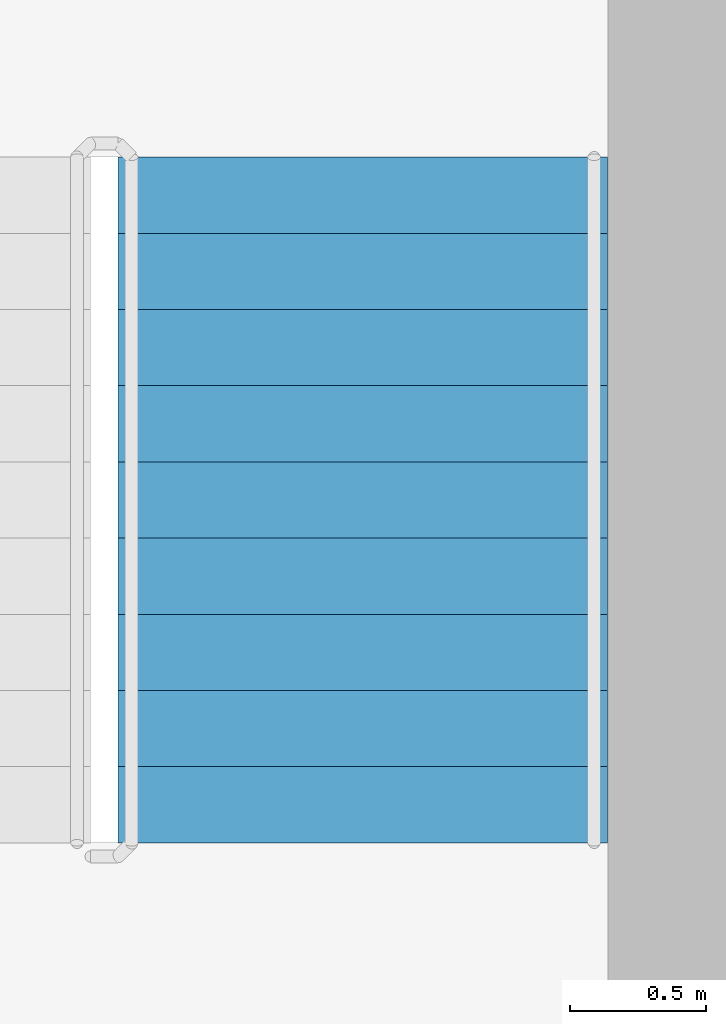
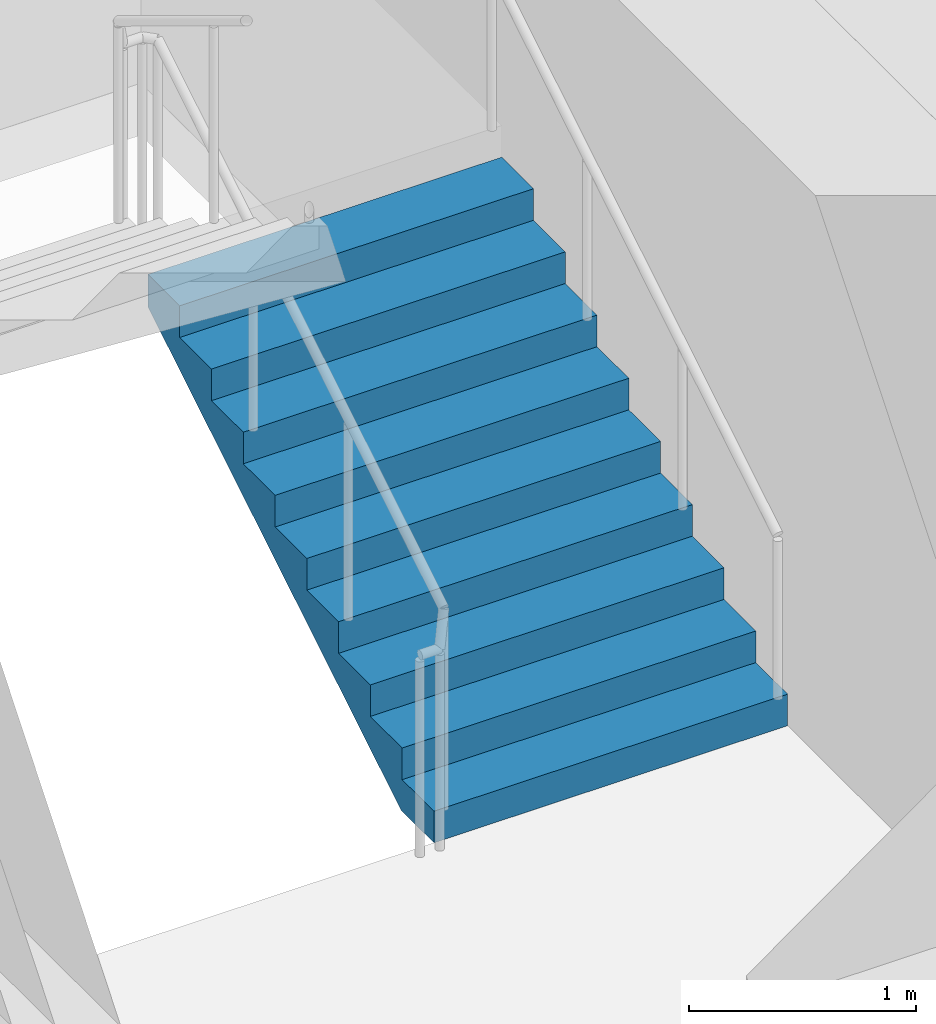
# One storey, part 20 of 24: 1 stair flight, 1 element without a shape of its own.
"""IFC4 building model written with IfcOpenShell, lengths in metres."""

from ifc_helpers import new_model, si_unit, direction, frame, origin, place, context, subcontext, project, spatial, triangles, source, transform, mapped, material, type_object, element, aggregate, save


model = new_model("IFC4")

# Units and contexts
model_context = context("Model", 3, precision=1e-05, world=origin(), true_north=direction((0.0, 1.0)))
body_context = subcontext(model_context, "Body", "Model", "MODEL_VIEW")
ifc_project = project(units=[si_unit("LENGTHUNIT", "METRE"), si_unit("AREAUNIT", "SQUARE_METRE"), si_unit("VOLUMEUNIT", "CUBIC_METRE"), si_unit("PLANEANGLEUNIT", "RADIAN"), si_unit("MASSUNIT", "GRAM", prefix="KILO")], contexts=[model_context])

# Site, building, storey
site_placement = place(None, origin())
site = spatial("IfcSite", under=ifc_project, at=site_placement, CompositionType="ELEMENT")
building_placement = place(site_placement, origin())
building = spatial("IfcBuilding", under=site, at=building_placement, Name="Kilnfold Tower and Market Hall", CompositionType="ELEMENT")
storey_placement = place(building_placement, frame((0.0, 0.0, 192.300048828125)))
storey = spatial("IfcBuildingStorey", under=building, at=storey_placement, Name="L46", CompositionType="ELEMENT", Elevation=192.300048828125)

# Stair, stair flight
ifc_material_1 = material(Name="Concrete C40/50", Category="concrete")
stair_type = type_object("IfcStairType", Name="CORE STAIR 1800", PredefinedType="HALF_TURN_STAIR", material=ifc_material_1)
stair_placement = place(storey_placement, origin())
stair = element("IfcStair", 1, at=stair_placement, inside=storey, type_object=stair_type, Name="L46 ST2", PredefinedType="HALF_TURN_STAIR")
ifc_material_2 = material(Name="Concrete C40/50", Category="concrete")
stair_flight_type = type_object("IfcStairFlightType", Name="CORE STAIR FLIGHT 1800", PredefinedType="STRAIGHT", material=ifc_material_2)
shared_shape = source(origin(), body_context, "Body", "Tessellation", [
    triangles([(0.0, 0.89990234375, 0.0), (0.0, 0.78759765625, 0.0), (0.0, 0.675048828125, 0.0), (0.0, 0.5625, 0.0), (0.0, 0.449951171875, 0.0), (0.0, 0.33740234375, 0.0), (0.0, 0.22509765625, 0.0), (0.0, 0.112548828125, 0.0), (0.0, 0.0, 0.0), (0.0, -0.112548828125, 0.0), (0.0, -0.22509765625, 0.0), (0.0, -0.33740234375, 0.0), (0.0, -0.449951171875, 0.0), (0.0, -0.5625, 0.0), (0.0, -0.675048828125, 0.0), (0.0, -0.78759765625, 0.0), (0.0, -0.89990234375, 0.0), (0.0, 0.89990234375, 0.169921875), (0.0, 0.78759765625, 0.169921875), (0.0, 0.675048828125, 0.169921875), (0.0, 0.5625, 0.169921875), (0.0, 0.449951171875, 0.169921875), (0.0, 0.33740234375, 0.169921875), (0.0, 0.22509765625, 0.169921875), (0.0, 0.112548828125, 0.169921875), (0.0, 0.0, 0.169921875), (0.0, -0.112548828125, 0.169921875), (0.0, -0.22509765625, 0.169921875), (0.0, -0.33740234375, 0.169921875), (0.0, -0.449951171875, 0.169921875), (0.0, -0.5625, 0.169921875), (0.0, -0.675048828125, 0.169921875), (0.0, -0.78759765625, 0.169921875), (0.0, -0.89990234375, 0.169921875), (0.280029296875, 0.89990234375, 0.169921875), (0.280029296875, 0.78759765625, 0.169921875), (0.280029296875, 0.675048828125, 0.169921875), (0.280029296875, 0.5625, 0.169921875), (0.280029296875, 0.449951171875, 0.169921875), (0.280029296875, 0.33740234375, 0.169921875), (0.280029296875, 0.22509765625, 0.169921875), (0.280029296875, 0.112548828125, 0.169921875), (0.280029296875, 0.0, 0.169921875), (0.280029296875, -0.112548828125, 0.169921875), (0.280029296875, -0.22509765625, 0.169921875), (0.280029296875, -0.33740234375, 0.169921875), (0.280029296875, -0.449951171875, 0.169921875), (0.280029296875, -0.5625, 0.169921875), (0.280029296875, -0.675048828125, 0.169921875), (0.280029296875, -0.78759765625, 0.169921875), (0.280029296875, -0.89990234375, 0.169921875), (0.280029296875, 0.89990234375, 0.340087890625), (0.280029296875, 0.78759765625, 0.340087890625), (0.280029296875, 0.675048828125, 0.340087890625), (0.280029296875, 0.5625, 0.340087890625), (0.280029296875, 0.449951171875, 0.340087890625), (0.280029296875, 0.33740234375, 0.340087890625), (0.280029296875, 0.22509765625, 0.340087890625), (0.280029296875, 0.112548828125, 0.340087890625), (0.280029296875, 0.0, 0.340087890625), (0.280029296875, -0.112548828125, 0.340087890625), (0.280029296875, -0.22509765625, 0.340087890625), (0.280029296875, -0.33740234375, 0.340087890625), (0.280029296875, -0.449951171875, 0.340087890625), (0.280029296875, -0.5625, 0.340087890625), (0.280029296875, -0.675048828125, 0.340087890625), (0.280029296875, -0.78759765625, 0.340087890625), (0.280029296875, -0.89990234375, 0.340087890625), (0.56005859375, 0.89990234375, 0.340087890625), (0.56005859375, 0.78759765625, 0.340087890625), (0.56005859375, 0.675048828125, 0.340087890625), (0.56005859375, 0.5625, 0.340087890625), (0.56005859375, 0.449951171875, 0.340087890625), (0.56005859375, 0.33740234375, 0.340087890625), (0.56005859375, 0.22509765625, 0.340087890625), (0.56005859375, 0.112548828125, 0.340087890625), (0.56005859375, 0.0, 0.340087890625), (0.56005859375, -0.112548828125, 0.340087890625), (0.56005859375, -0.22509765625, 0.340087890625), (0.56005859375, -0.33740234375, 0.340087890625), (0.56005859375, -0.449951171875, 0.340087890625), (0.56005859375, -0.5625, 0.340087890625), (0.56005859375, -0.675048828125, 0.340087890625), (0.56005859375, -0.78759765625, 0.340087890625), (0.56005859375, -0.89990234375, 0.340087890625), (0.56005859375, 0.89990234375, 0.510009765625), (0.56005859375, 0.78759765625, 0.510009765625), (0.56005859375, 0.675048828125, 0.510009765625), (0.56005859375, 0.5625, 0.510009765625), (0.56005859375, 0.449951171875, 0.510009765625), (0.56005859375, 0.33740234375, 0.510009765625), (0.56005859375, 0.22509765625, 0.510009765625), (0.56005859375, 0.112548828125, 0.510009765625), (0.56005859375, 0.0, 0.510009765625), (0.56005859375, -0.112548828125, 0.510009765625), (0.56005859375, -0.22509765625, 0.510009765625), (0.56005859375, -0.33740234375, 0.510009765625), (0.56005859375, -0.449951171875, 0.510009765625), (0.56005859375, -0.5625, 0.510009765625), (0.56005859375, -0.675048828125, 0.510009765625), (0.56005859375, -0.78759765625, 0.510009765625), (0.56005859375, -0.89990234375, 0.510009765625), (0.840087890625, 0.89990234375, 0.510009765625), (0.840087890625, 0.78759765625, 0.510009765625), (0.840087890625, 0.675048828125, 0.510009765625), (0.840087890625, 0.5625, 0.510009765625), (0.840087890625, 0.449951171875, 0.510009765625), (0.840087890625, 0.33740234375, 0.510009765625), (0.840087890625, 0.22509765625, 0.510009765625), (0.840087890625, 0.112548828125, 0.510009765625), (0.840087890625, 0.0, 0.510009765625), (0.840087890625, -0.112548828125, 0.510009765625), (0.840087890625, -0.22509765625, 0.510009765625), (0.840087890625, -0.33740234375, 0.510009765625), (0.840087890625, -0.449951171875, 0.510009765625), (0.840087890625, -0.5625, 0.510009765625), (0.840087890625, -0.675048828125, 0.510009765625), (0.840087890625, -0.78759765625, 0.510009765625), (0.840087890625, -0.89990234375, 0.510009765625), (0.840087890625, 0.89990234375, 0.679931640625), (0.840087890625, 0.78759765625, 0.679931640625), (0.840087890625, 0.675048828125, 0.679931640625), (0.840087890625, 0.5625, 0.679931640625), (0.840087890625, 0.449951171875, 0.679931640625), (0.840087890625, 0.33740234375, 0.679931640625), (0.840087890625, 0.22509765625, 0.679931640625), (0.840087890625, 0.112548828125, 0.679931640625), (0.840087890625, 0.0, 0.679931640625), (0.840087890625, -0.112548828125, 0.679931640625), (0.840087890625, -0.22509765625, 0.679931640625), (0.840087890625, -0.33740234375, 0.679931640625), (0.840087890625, -0.449951171875, 0.679931640625), (0.840087890625, -0.5625, 0.679931640625), (0.840087890625, -0.675048828125, 0.679931640625), (0.840087890625, -0.78759765625, 0.679931640625), (0.840087890625, -0.89990234375, 0.679931640625), (1.1201171875, 0.89990234375, 0.679931640625), (1.1201171875, 0.78759765625, 0.679931640625), (1.1201171875, 0.675048828125, 0.679931640625), (1.1201171875, 0.5625, 0.679931640625), (1.1201171875, 0.449951171875, 0.679931640625), (1.1201171875, 0.33740234375, 0.679931640625), (1.1201171875, 0.22509765625, 0.679931640625), (1.1201171875, 0.112548828125, 0.679931640625), (1.1201171875, 0.0, 0.679931640625), (1.1201171875, -0.112548828125, 0.679931640625), (1.1201171875, -0.22509765625, 0.679931640625), (1.1201171875, -0.33740234375, 0.679931640625), (1.1201171875, -0.449951171875, 0.679931640625), (1.1201171875, -0.5625, 0.679931640625), (1.1201171875, -0.675048828125, 0.679931640625), (1.1201171875, -0.78759765625, 0.679931640625), (1.1201171875, -0.89990234375, 0.679931640625), (1.1201171875, 0.89990234375, 0.85009765625), (1.1201171875, 0.78759765625, 0.85009765625), (1.1201171875, 0.675048828125, 0.85009765625), (1.1201171875, 0.5625, 0.85009765625), (1.1201171875, 0.449951171875, 0.85009765625), (1.1201171875, 0.33740234375, 0.85009765625), (1.1201171875, 0.22509765625, 0.85009765625), (1.1201171875, 0.112548828125, 0.85009765625), (1.1201171875, 0.0, 0.85009765625), (1.1201171875, -0.112548828125, 0.85009765625), (1.1201171875, -0.22509765625, 0.85009765625), (1.1201171875, -0.33740234375, 0.85009765625), (1.1201171875, -0.449951171875, 0.85009765625), (1.1201171875, -0.5625, 0.85009765625), (1.1201171875, -0.675048828125, 0.85009765625), (1.1201171875, -0.78759765625, 0.85009765625), (1.1201171875, -0.89990234375, 0.85009765625), (1.39990234375, 0.89990234375, 0.85009765625), (1.39990234375, 0.78759765625, 0.85009765625), (1.39990234375, 0.675048828125, 0.85009765625), (1.39990234375, 0.5625, 0.85009765625), (1.39990234375, 0.449951171875, 0.85009765625), (1.39990234375, 0.33740234375, 0.85009765625), (1.39990234375, 0.22509765625, 0.85009765625), (1.39990234375, 0.112548828125, 0.85009765625), (1.39990234375, 0.0, 0.85009765625), (1.39990234375, -0.112548828125, 0.85009765625), (1.39990234375, -0.22509765625, 0.85009765625), (1.39990234375, -0.33740234375, 0.85009765625), (1.39990234375, -0.449951171875, 0.85009765625), (1.39990234375, -0.5625, 0.85009765625), (1.39990234375, -0.675048828125, 0.85009765625), (1.39990234375, -0.78759765625, 0.85009765625), (1.39990234375, -0.89990234375, 0.85009765625), (1.39990234375, 0.89990234375, 1.02001953125), (1.39990234375, 0.78759765625, 1.02001953125), (1.39990234375, 0.675048828125, 1.02001953125), (1.39990234375, 0.5625, 1.02001953125), (1.39990234375, 0.449951171875, 1.02001953125), (1.39990234375, 0.33740234375, 1.02001953125), (1.39990234375, 0.22509765625, 1.02001953125), (1.39990234375, 0.112548828125, 1.02001953125), (1.39990234375, 0.0, 1.02001953125), (1.39990234375, -0.112548828125, 1.02001953125), (1.39990234375, -0.22509765625, 1.02001953125), (1.39990234375, -0.33740234375, 1.02001953125), (1.39990234375, -0.449951171875, 1.02001953125), (1.39990234375, -0.5625, 1.02001953125), (1.39990234375, -0.675048828125, 1.02001953125), (1.39990234375, -0.78759765625, 1.02001953125), (1.39990234375, -0.89990234375, 1.02001953125), (1.679931640625, 0.89990234375, 1.02001953125), (1.679931640625, 0.78759765625, 1.02001953125), (1.679931640625, 0.675048828125, 1.02001953125), (1.679931640625, 0.5625, 1.02001953125), (1.679931640625, 0.449951171875, 1.02001953125), (1.679931640625, 0.33740234375, 1.02001953125), (1.679931640625, 0.22509765625, 1.02001953125), (1.679931640625, 0.112548828125, 1.02001953125), (1.679931640625, 0.0, 1.02001953125), (1.679931640625, -0.112548828125, 1.02001953125), (1.679931640625, -0.22509765625, 1.02001953125), (1.679931640625, -0.33740234375, 1.02001953125), (1.679931640625, -0.449951171875, 1.02001953125), (1.679931640625, -0.5625, 1.02001953125), (1.679931640625, -0.675048828125, 1.02001953125), (1.679931640625, -0.78759765625, 1.02001953125), (1.679931640625, -0.89990234375, 1.02001953125), (1.679931640625, 0.89990234375, 1.18994140625), (1.679931640625, 0.78759765625, 1.18994140625), (1.679931640625, 0.675048828125, 1.18994140625), (1.679931640625, 0.5625, 1.18994140625), (1.679931640625, 0.449951171875, 1.18994140625), (1.679931640625, 0.33740234375, 1.18994140625), (1.679931640625, 0.22509765625, 1.18994140625), (1.679931640625, 0.112548828125, 1.18994140625), (1.679931640625, 0.0, 1.18994140625), (1.679931640625, -0.112548828125, 1.18994140625), (1.679931640625, -0.22509765625, 1.18994140625), (1.679931640625, -0.33740234375, 1.18994140625), (1.679931640625, -0.449951171875, 1.18994140625), (1.679931640625, -0.5625, 1.18994140625), (1.679931640625, -0.675048828125, 1.18994140625), (1.679931640625, -0.78759765625, 1.18994140625), (1.679931640625, -0.89990234375, 1.18994140625), (1.9599609375, 0.89990234375, 1.18994140625), (1.9599609375, 0.78759765625, 1.18994140625), (1.9599609375, 0.675048828125, 1.18994140625), (1.9599609375, 0.5625, 1.18994140625), (1.9599609375, 0.449951171875, 1.18994140625), (1.9599609375, 0.33740234375, 1.18994140625), (1.9599609375, 0.22509765625, 1.18994140625), (1.9599609375, 0.112548828125, 1.18994140625), (1.9599609375, 0.0, 1.18994140625), (1.9599609375, -0.112548828125, 1.18994140625), (1.9599609375, -0.22509765625, 1.18994140625), (1.9599609375, -0.33740234375, 1.18994140625), (1.9599609375, -0.449951171875, 1.18994140625), (1.9599609375, -0.5625, 1.18994140625), (1.9599609375, -0.675048828125, 1.18994140625), (1.9599609375, -0.78759765625, 1.18994140625), (1.9599609375, -0.89990234375, 1.18994140625), (1.9599609375, 0.89990234375, 1.360107421875), (1.9599609375, 0.78759765625, 1.360107421875), (1.9599609375, 0.675048828125, 1.360107421875), (1.9599609375, 0.5625, 1.360107421875), (1.9599609375, 0.449951171875, 1.360107421875), (1.9599609375, 0.33740234375, 1.360107421875), (1.9599609375, 0.22509765625, 1.360107421875), (1.9599609375, 0.112548828125, 1.360107421875), (1.9599609375, 0.0, 1.360107421875), (1.9599609375, -0.112548828125, 1.360107421875), (1.9599609375, -0.22509765625, 1.360107421875), (1.9599609375, -0.33740234375, 1.360107421875), (1.9599609375, -0.449951171875, 1.360107421875), (1.9599609375, -0.5625, 1.360107421875), (1.9599609375, -0.675048828125, 1.360107421875), (1.9599609375, -0.78759765625, 1.360107421875), (1.9599609375, -0.89990234375, 1.360107421875), (2.239990234375, 0.89990234375, 1.360107421875), (2.239990234375, 0.78759765625, 1.360107421875), (2.239990234375, 0.675048828125, 1.360107421875), (2.239990234375, 0.5625, 1.360107421875), (2.239990234375, 0.449951171875, 1.360107421875), (2.239990234375, 0.33740234375, 1.360107421875), (2.239990234375, 0.22509765625, 1.360107421875), (2.239990234375, 0.112548828125, 1.360107421875), (2.239990234375, 0.0, 1.360107421875), (2.239990234375, -0.112548828125, 1.360107421875), (2.239990234375, -0.22509765625, 1.360107421875), (2.239990234375, -0.33740234375, 1.360107421875), (2.239990234375, -0.449951171875, 1.360107421875), (2.239990234375, -0.5625, 1.360107421875), (2.239990234375, -0.675048828125, 1.360107421875), (2.239990234375, -0.78759765625, 1.360107421875), (2.239990234375, -0.89990234375, 1.360107421875), (2.239990234375, 0.89990234375, 1.530029296875), (2.239990234375, 0.78759765625, 1.530029296875), (2.239990234375, 0.675048828125, 1.530029296875), (2.239990234375, 0.5625, 1.530029296875), (2.239990234375, 0.449951171875, 1.530029296875), (2.239990234375, 0.33740234375, 1.530029296875), (2.239990234375, 0.22509765625, 1.530029296875), (2.239990234375, 0.112548828125, 1.530029296875), (2.239990234375, 0.0, 1.530029296875), (2.239990234375, -0.112548828125, 1.530029296875), (2.239990234375, -0.22509765625, 1.530029296875), (2.239990234375, -0.33740234375, 1.530029296875), (2.239990234375, -0.449951171875, 1.530029296875), (2.239990234375, -0.5625, 1.530029296875), (2.239990234375, -0.675048828125, 1.530029296875), (2.239990234375, -0.78759765625, 1.530029296875), (2.239990234375, -0.89990234375, 1.530029296875), (2.52001953125, 0.89990234375, 1.530029296875), (2.52001953125, 0.78759765625, 1.530029296875), (2.52001953125, 0.675048828125, 1.530029296875), (2.52001953125, 0.5625, 1.530029296875), (2.52001953125, 0.449951171875, 1.530029296875), (2.52001953125, 0.33740234375, 1.530029296875), (2.52001953125, 0.22509765625, 1.530029296875), (2.52001953125, 0.112548828125, 1.530029296875), (2.52001953125, 0.0, 1.530029296875), (2.52001953125, -0.112548828125, 1.530029296875), (2.52001953125, -0.22509765625, 1.530029296875), (2.52001953125, -0.33740234375, 1.530029296875), (2.52001953125, -0.449951171875, 1.530029296875), (2.52001953125, -0.5625, 1.530029296875), (2.52001953125, -0.675048828125, 1.530029296875), (2.52001953125, -0.78759765625, 1.530029296875), (2.52001953125, -0.89990234375, 1.530029296875), (2.52001953125, 0.89990234375, 1.354736328125), (2.52001953125, 0.78759765625, 1.354736328125), (2.52001953125, 0.675048828125, 1.354736328125), (2.52001953125, 0.5625, 1.354736328125), (2.52001953125, 0.449951171875, 1.354736328125), (2.52001953125, 0.33740234375, 1.354736328125), (2.52001953125, 0.22509765625, 1.354736328125), (2.52001953125, 0.112548828125, 1.354736328125), (2.52001953125, 0.0, 1.354736328125), (2.52001953125, -0.112548828125, 1.354736328125), (2.52001953125, -0.22509765625, 1.354736328125), (2.52001953125, -0.33740234375, 1.354736328125), (2.52001953125, -0.449951171875, 1.354736328125), (2.52001953125, -0.5625, 1.354736328125), (2.52001953125, -0.675048828125, 1.354736328125), (2.52001953125, -0.78759765625, 1.354736328125), (2.52001953125, -0.89990234375, 1.354736328125), (0.288818359375, 0.89990234375, 0.0), (0.288818359375, 0.78759765625, 0.0), (0.288818359375, 0.675048828125, 0.0), (0.288818359375, 0.5625, 0.0), (0.288818359375, 0.449951171875, 0.0), (0.288818359375, 0.33740234375, 0.0), (0.288818359375, 0.22509765625, 0.0), (0.288818359375, 0.112548828125, 0.0), (0.288818359375, 0.0, 0.0), (0.288818359375, -0.112548828125, 0.0), (0.288818359375, -0.22509765625, 0.0), (0.288818359375, -0.33740234375, 0.0), (0.288818359375, -0.449951171875, 0.0), (0.288818359375, -0.5625, 0.0), (0.288818359375, -0.675048828125, 0.0), (0.288818359375, -0.78759765625, 0.0), (0.288818359375, -0.89990234375, 0.0)], [[1, 324, 341], [17, 357, 340], [324, 290, 307], [340, 323, 306], [324, 273, 290], [340, 306, 289], [324, 256, 273], [340, 289, 272], [324, 239, 256], [340, 272, 255], [239, 205, 222], [255, 238, 221], [324, 205, 239], [340, 255, 221], [205, 171, 188], [221, 204, 187], [324, 171, 205], [340, 221, 187], [171, 137, 154], [187, 170, 153], [324, 137, 171], [340, 187, 153], [137, 103, 120], [153, 136, 119], [324, 103, 137], [340, 153, 119], [103, 69, 86], [119, 102, 85], [324, 69, 103], [340, 119, 85], [69, 35, 52], [85, 68, 51], [324, 35, 69], [340, 85, 51], [1, 35, 324], [17, 340, 51], [35, 1, 18], [51, 34, 17], [1, 19, 18], [1, 2, 19], [2, 20, 19], [2, 3, 20], [3, 21, 20], [3, 4, 21], [4, 22, 21], [4, 5, 22], [5, 23, 22], [5, 6, 23], [6, 24, 23], [6, 7, 24], [7, 25, 24], [7, 8, 25], [8, 26, 25], [8, 9, 26], [9, 27, 26], [9, 10, 27], [10, 28, 27], [10, 11, 28], [11, 29, 28], [11, 12, 29], [12, 30, 29], [12, 13, 30], [13, 31, 30], [13, 14, 31], [14, 32, 31], [14, 15, 32], [15, 33, 32], [15, 16, 33], [16, 34, 33], [16, 17, 34], [18, 36, 35], [18, 19, 36], [19, 37, 36], [19, 20, 37], [20, 38, 37], [20, 21, 38], [21, 39, 38], [21, 22, 39], [22, 40, 39], [22, 23, 40], [23, 41, 40], [23, 24, 41], [24, 42, 41], [24, 25, 42], [25, 43, 42], [25, 26, 43], [26, 44, 43], [26, 27, 44], [27, 45, 44], [27, 28, 45], [28, 46, 45], [28, 29, 46], [29, 47, 46], [29, 30, 47], [30, 48, 47], [30, 31, 48], [31, 49, 48], [31, 32, 49], [32, 50, 49], [32, 33, 50], [33, 51, 50], [33, 34, 51], [35, 53, 52], [35, 36, 53], [36, 54, 53], [36, 37, 54], [37, 55, 54], [37, 38, 55], [38, 56, 55], [38, 39, 56], [39, 57, 56], [39, 40, 57], [40, 58, 57], [40, 41, 58], [41, 59, 58], [41, 42, 59], [42, 60, 59], [42, 43, 60], [43, 61, 60], [43, 44, 61], [44, 62, 61], [44, 45, 62], [45, 63, 62], [45, 46, 63], [46, 64, 63], [46, 47, 64], [47, 65, 64], [47, 48, 65], [48, 66, 65], [48, 49, 66], [49, 67, 66], [49, 50, 67], [50, 68, 67], [50, 51, 68], [52, 70, 69], [52, 53, 70], [53, 71, 70], [53, 54, 71], [54, 72, 71], [54, 55, 72], [55, 73, 72], [55, 56, 73], [56, 74, 73], [56, 57, 74], [57, 75, 74], [57, 58, 75], [58, 76, 75], [58, 59, 76], [59, 77, 76], [59, 60, 77], [60, 78, 77], [60, 61, 78], [61, 79, 78], [61, 62, 79], [62, 80, 79], [62, 63, 80], [63, 81, 80], [63, 64, 81], [64, 82, 81], [64, 65, 82], [65, 83, 82], [65, 66, 83], [66, 84, 83], [66, 67, 84], [67, 85, 84], [67, 68, 85], [69, 87, 86], [69, 70, 87], [70, 88, 87], [70, 71, 88], [71, 89, 88], [71, 72, 89], [72, 90, 89], [72, 73, 90], [73, 91, 90], [73, 74, 91], [74, 92, 91], [74, 75, 92], [75, 93, 92], [75, 76, 93], [76, 94, 93], [76, 77, 94], [77, 95, 94], [77, 78, 95], [78, 96, 95], [78, 79, 96], [79, 97, 96], [79, 80, 97], [80, 98, 97], [80, 81, 98], [81, 99, 98], [81, 82, 99], [82, 100, 99], [82, 83, 100], [83, 101, 100], [83, 84, 101], [84, 102, 101], [84, 85, 102], [86, 104, 103], [86, 87, 104], [87, 105, 104], [87, 88, 105], [88, 106, 105], [88, 89, 106], [89, 107, 106], [89, 90, 107], [90, 108, 107], [90, 91, 108], [91, 109, 108], [91, 92, 109], [92, 110, 109], [92, 93, 110], [93, 111, 110], [93, 94, 111], [94, 112, 111], [94, 95, 112], [95, 113, 112], [95, 96, 113], [96, 114, 113], [96, 97, 114], [97, 115, 114], [97, 98, 115], [98, 116, 115], [98, 99, 116], [99, 117, 116], [99, 100, 117], [100, 118, 117], [100, 101, 118], [101, 119, 118], [101, 102, 119], [103, 121, 120], [103, 104, 121], [104, 122, 121], [104, 105, 122], [105, 123, 122], [105, 106, 123], [106, 124, 123], [106, 107, 124], [107, 125, 124], [107, 108, 125], [108, 126, 125], [108, 109, 126], [109, 127, 126], [109, 110, 127], [110, 128, 127], [110, 111, 128], [111, 129, 128], [111, 112, 129], [112, 130, 129], [112, 113, 130], [113, 131, 130], [113, 114, 131], [114, 132, 131], [114, 115, 132], [115, 133, 132], [115, 116, 133], [116, 134, 133], [116, 117, 134], [117, 135, 134], [117, 118, 135], [118, 136, 135], [118, 119, 136], [120, 138, 137], [120, 121, 138], [121, 139, 138], [121, 122, 139], [122, 140, 139], [122, 123, 140], [123, 141, 140], [123, 124, 141], [124, 142, 141], [124, 125, 142], [125, 143, 142], [125, 126, 143], [126, 144, 143], [126, 127, 144], [127, 145, 144], [127, 128, 145], [128, 146, 145], [128, 129, 146], [129, 147, 146], [129, 130, 147], [130, 148, 147], [130, 131, 148], [131, 149, 148], [131, 132, 149], [132, 150, 149], [132, 133, 150], [133, 151, 150], [133, 134, 151], [134, 152, 151], [134, 135, 152], [135, 153, 152], [135, 136, 153], [137, 155, 154], [137, 138, 155], [138, 156, 155], [138, 139, 156], [139, 157, 156], [139, 140, 157], [140, 158, 157], [140, 141, 158], [141, 159, 158], [141, 142, 159], [142, 160, 159], [142, 143, 160], [143, 161, 160], [143, 144, 161], [144, 162, 161], [144, 145, 162], [145, 163, 162], [145, 146, 163], [146, 164, 163], [146, 147, 164], [147, 165, 164], [147, 148, 165], [148, 166, 165], [148, 149, 166], [149, 167, 166], [149, 150, 167], [150, 168, 167], [150, 151, 168], [151, 169, 168], [151, 152, 169], [152, 170, 169], [152, 153, 170], [154, 172, 171], [154, 155, 172], [155, 173, 172], [155, 156, 173], [156, 174, 173], [156, 157, 174], [157, 175, 174], [157, 158, 175], [158, 176, 175], [158, 159, 176], [159, 177, 176], [159, 160, 177], [160, 178, 177], [160, 161, 178], [161, 179, 178], [161, 162, 179], [162, 180, 179], [162, 163, 180], [163, 181, 180], [163, 164, 181], [164, 182, 181], [164, 165, 182], [165, 183, 182], [165, 166, 183], [166, 184, 183], [166, 167, 184], [167, 185, 184], [167, 168, 185], [168, 186, 185], [168, 169, 186], [169, 187, 186], [169, 170, 187], [171, 189, 188], [171, 172, 189], [172, 190, 189], [172, 173, 190], [173, 191, 190], [173, 174, 191], [174, 192, 191], [174, 175, 192], [175, 193, 192], [175, 176, 193], [176, 194, 193], [176, 177, 194], [177, 195, 194], [177, 178, 195], [178, 196, 195], [178, 179, 196], [179, 197, 196], [179, 180, 197], [180, 198, 197], [180, 181, 198], [181, 199, 198], [181, 182, 199], [182, 200, 199], [182, 183, 200], [183, 201, 200], [183, 184, 201], [184, 202, 201], [184, 185, 202], [185, 203, 202], [185, 186, 203], [186, 204, 203], [186, 187, 204], [188, 206, 205], [188, 189, 206], [189, 207, 206], [189, 190, 207], [190, 208, 207], [190, 191, 208], [191, 209, 208], [191, 192, 209], [192, 210, 209], [192, 193, 210], [193, 211, 210], [193, 194, 211], [194, 212, 211], [194, 195, 212], [195, 213, 212], [195, 196, 213], [196, 214, 213], [196, 197, 214], [197, 215, 214], [197, 198, 215], [198, 216, 215], [198, 199, 216], [199, 217, 216], [199, 200, 217], [200, 218, 217], [200, 201, 218], [201, 219, 218], [201, 202, 219], [202, 220, 219], [202, 203, 220], [203, 221, 220], [203, 204, 221], [205, 223, 222], [205, 206, 223], [206, 224, 223], [206, 207, 224], [207, 225, 224], [207, 208, 225], [208, 226, 225], [208, 209, 226], [209, 227, 226], [209, 210, 227], [210, 228, 227], [210, 211, 228], [211, 229, 228], [211, 212, 229], [212, 230, 229], [212, 213, 230], [213, 231, 230], [213, 214, 231], [214, 232, 231], [214, 215, 232], [215, 233, 232], [215, 216, 233], [216, 234, 233], [216, 217, 234], [217, 235, 234], [217, 218, 235], [218, 236, 235], [218, 219, 236], [219, 237, 236], [219, 220, 237], [220, 238, 237], [220, 221, 238], [222, 240, 239], [222, 223, 240], [223, 241, 240], [223, 224, 241], [224, 242, 241], [224, 225, 242], [225, 243, 242], [225, 226, 243], [226, 244, 243], [226, 227, 244], [227, 245, 244], [227, 228, 245], [228, 246, 245], [228, 229, 246], [229, 247, 246], [229, 230, 247], [230, 248, 247], [230, 231, 248], [231, 249, 248], [231, 232, 249], [232, 250, 249], [232, 233, 250], [233, 251, 250], [233, 234, 251], [234, 252, 251], [234, 235, 252], [235, 253, 252], [235, 236, 253], [236, 254, 253], [236, 237, 254], [237, 255, 254], [237, 238, 255], [239, 257, 256], [239, 240, 257], [240, 258, 257], [240, 241, 258], [241, 259, 258], [241, 242, 259], [242, 260, 259], [242, 243, 260], [243, 261, 260], [243, 244, 261], [244, 262, 261], [244, 245, 262], [245, 263, 262], [245, 246, 263], [246, 264, 263], [246, 247, 264], [247, 265, 264], [247, 248, 265], [248, 266, 265], [248, 249, 266], [249, 267, 266], [249, 250, 267], [250, 268, 267], [250, 251, 268], [251, 269, 268], [251, 252, 269], [252, 270, 269], [252, 253, 270], [253, 271, 270], [253, 254, 271], [254, 272, 271], [254, 255, 272], [256, 274, 273], [256, 257, 274], [257, 275, 274], [257, 258, 275], [258, 276, 275], [258, 259, 276], [259, 277, 276], [259, 260, 277], [260, 278, 277], [260, 261, 278], [261, 279, 278], [261, 262, 279], [262, 280, 279], [262, 263, 280], [263, 281, 280], [263, 264, 281], [264, 282, 281], [264, 265, 282], [265, 283, 282], [265, 266, 283], [266, 284, 283], [266, 267, 284], [267, 285, 284], [267, 268, 285], [268, 286, 285], [268, 269, 286], [269, 287, 286], [269, 270, 287], [270, 288, 287], [270, 271, 288], [271, 289, 288], [271, 272, 289], [273, 291, 290], [273, 274, 291], [274, 292, 291], [274, 275, 292], [275, 293, 292], [275, 276, 293], [276, 294, 293], [276, 277, 294], [277, 295, 294], [277, 278, 295], [278, 296, 295], [278, 279, 296], [279, 297, 296], [279, 280, 297], [280, 298, 297], [280, 281, 298], [281, 299, 298], [281, 282, 299], [282, 300, 299], [282, 283, 300], [283, 301, 300], [283, 284, 301], [284, 302, 301], [284, 285, 302], [285, 303, 302], [285, 286, 303], [286, 304, 303], [286, 287, 304], [287, 305, 304], [287, 288, 305], [288, 306, 305], [288, 289, 306], [290, 308, 307], [290, 291, 308], [291, 309, 308], [291, 292, 309], [292, 310, 309], [292, 293, 310], [293, 311, 310], [293, 294, 311], [294, 312, 311], [294, 295, 312], [295, 313, 312], [295, 296, 313], [296, 314, 313], [296, 297, 314], [297, 315, 314], [297, 298, 315], [298, 316, 315], [298, 299, 316], [299, 317, 316], [299, 300, 317], [300, 318, 317], [300, 301, 318], [301, 319, 318], [301, 302, 319], [302, 320, 319], [302, 303, 320], [303, 321, 320], [303, 304, 321], [304, 322, 321], [304, 305, 322], [305, 323, 322], [305, 306, 323], [307, 325, 324], [307, 308, 325], [308, 326, 325], [308, 309, 326], [309, 327, 326], [309, 310, 327], [310, 328, 327], [310, 311, 328], [311, 329, 328], [311, 312, 329], [312, 330, 329], [312, 313, 330], [313, 331, 330], [313, 314, 331], [314, 332, 331], [314, 315, 332], [315, 333, 332], [315, 316, 333], [316, 334, 333], [316, 317, 334], [317, 335, 334], [317, 318, 335], [318, 336, 335], [318, 319, 336], [319, 337, 336], [319, 320, 337], [320, 338, 337], [320, 321, 338], [321, 339, 338], [321, 322, 339], [322, 340, 339], [322, 323, 340], [324, 342, 341], [324, 325, 342], [325, 343, 342], [325, 326, 343], [326, 344, 343], [326, 327, 344], [327, 345, 344], [327, 328, 345], [328, 346, 345], [328, 329, 346], [329, 347, 346], [329, 330, 347], [330, 348, 347], [330, 331, 348], [331, 349, 348], [331, 332, 349], [332, 350, 349], [332, 333, 350], [333, 351, 350], [333, 334, 351], [334, 352, 351], [334, 335, 352], [335, 353, 352], [335, 336, 353], [336, 354, 353], [336, 337, 354], [337, 355, 354], [337, 338, 355], [338, 356, 355], [338, 339, 356], [339, 357, 356], [339, 340, 357], [341, 2, 1], [341, 342, 2], [342, 3, 2], [342, 343, 3], [343, 4, 3], [343, 344, 4], [344, 5, 4], [344, 345, 5], [345, 6, 5], [345, 346, 6], [346, 7, 6], [346, 347, 7], [347, 8, 7], [347, 348, 8], [348, 9, 8], [348, 349, 9], [349, 10, 9], [349, 350, 10], [350, 11, 10], [350, 351, 11], [351, 12, 11], [351, 352, 12], [352, 13, 12], [352, 353, 13], [353, 14, 13], [353, 354, 14], [354, 15, 14], [354, 355, 15], [355, 16, 15], [355, 356, 16], [356, 17, 16], [356, 357, 17]], closed=True),
])
stair_flight_placement = place(storey_placement, frame((16.199951171875, 10.800048828125, 0.0), z_axis=(0.0, 0.0, 1.0), x_axis=(0.0, 1.0, 0.0)))
stair_flight = element("IfcStairFlight", 2, at=stair_flight_placement, type_object=stair_flight_type, Name="ST2 flight 1", NumberOfRisers=10, NumberOfTreads=9, PredefinedType="STRAIGHT", RiserHeight=0.17, TreadLength=0.28, context=body_context, shape_type="MappedRepresentation", body=[
    mapped(shared_shape, transform((0.0, 0.0, 0.0))),
])
aggregate(stair, [stair_flight])

save(model, "model.ifc")
